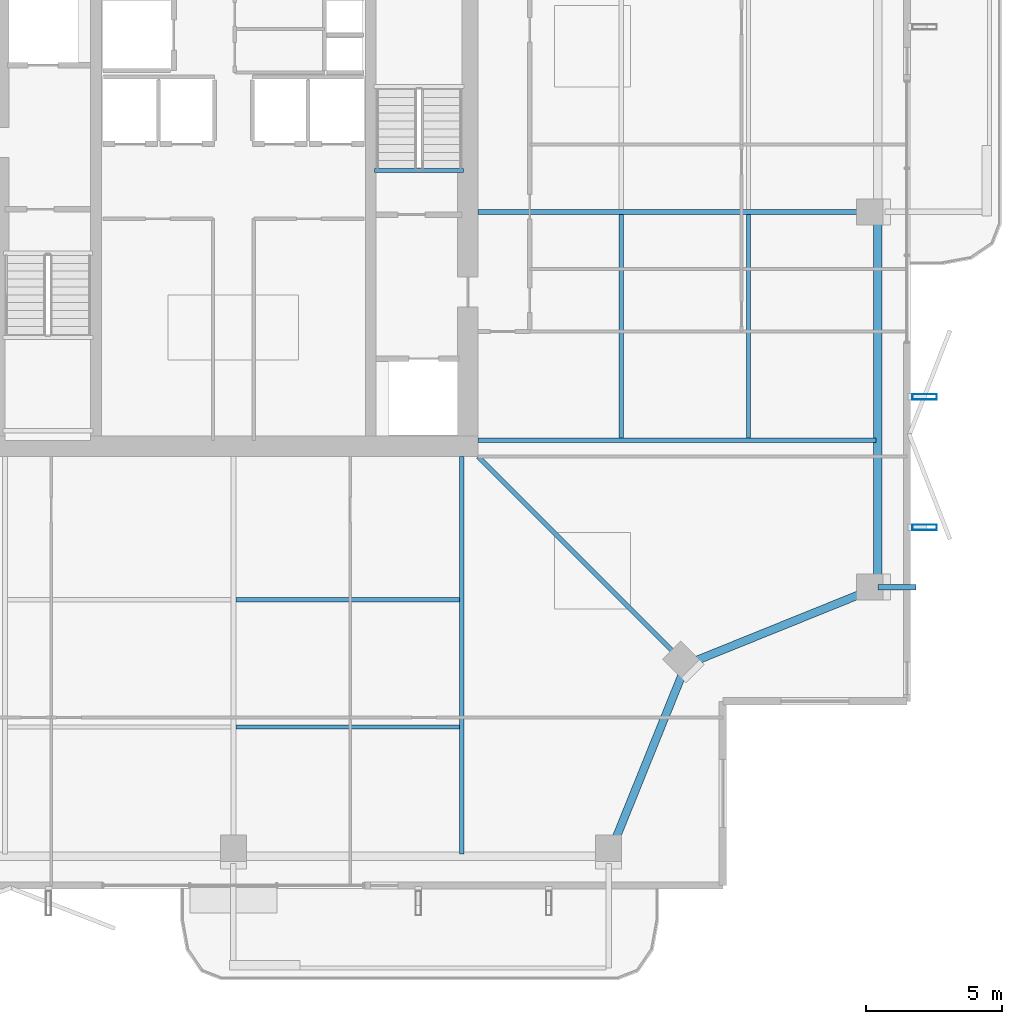
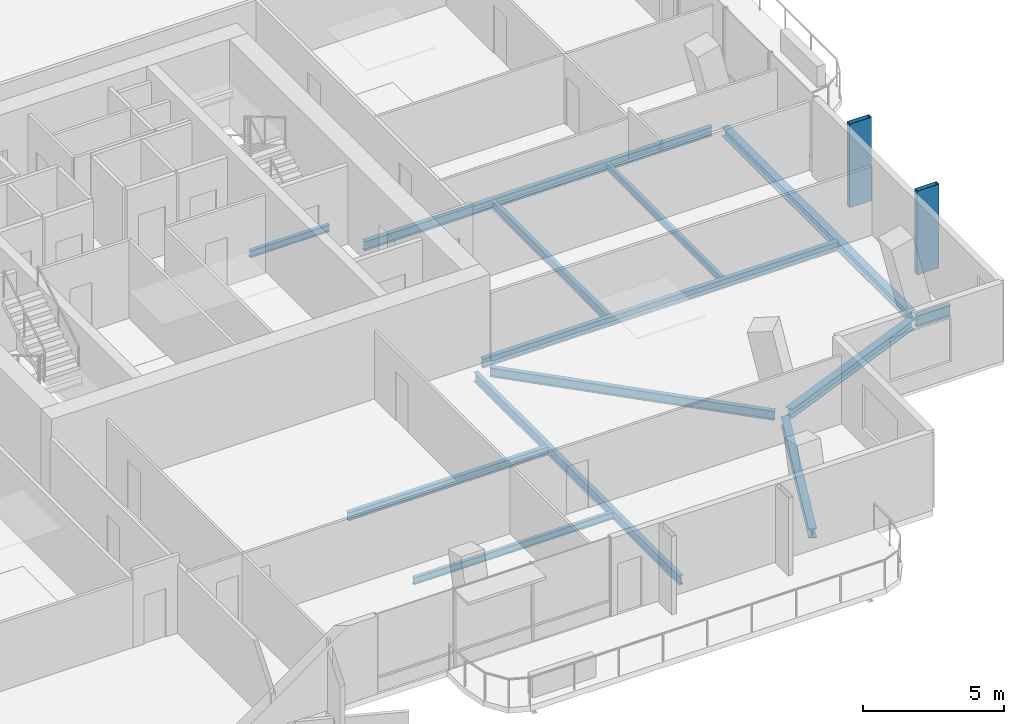
# One storey, part 9 of 25: 13 beams, 2 members.
"""IFC4 building model written with IfcOpenShell, lengths in metres."""

from ifc_helpers import new_model, si_unit, direction, frame, origin, origin_2d, place, context, subcontext, project, spatial, hollow_rectangle, i_section, extrude, material, material_profile, profile_set, type_object, element, save


model = new_model("IFC4")

# Units and contexts
model_context = context("Model", 3, precision=1e-05, world=origin(), true_north=direction((0.0, 1.0)))
body_context = subcontext(model_context, "Body", "Model", "MODEL_VIEW")
ifc_project = project(units=[si_unit("LENGTHUNIT", "METRE"), si_unit("AREAUNIT", "SQUARE_METRE"), si_unit("VOLUMEUNIT", "CUBIC_METRE"), si_unit("PLANEANGLEUNIT", "RADIAN"), si_unit("MASSUNIT", "GRAM", prefix="KILO")], contexts=[model_context])

# Site, building, storey
site_placement = place(None, origin())
site = spatial("IfcSite", under=ifc_project, at=site_placement, CompositionType="ELEMENT")
building_placement = place(site_placement, origin())
building = spatial("IfcBuilding", under=site, at=building_placement, Name="Belovzor Exchange Tower", CompositionType="ELEMENT")
storey_placement = place(building_placement, frame((0.0, 0.0, 280.35009765625)))
storey = spatial("IfcBuildingStorey", under=building, at=storey_placement, Name="L70", CompositionType="ELEMENT", Elevation=280.35009765625)

# Beams
ifc_material_1 = material(Name="Steel S355", Category="steel")
ifc_material_profile_1 = material_profile(ifc_material_1, i_section(OverallWidth=0.199951171875, OverallDepth=0.5, WebThickness=0.01025390625, FlangeThickness=0.01611328125, at=origin_2d()))
ifc_profile_set_1 = profile_set([ifc_material_profile_1], Name="Steel S355")
beam_type_1 = type_object("IfcBeamType", Name="Planted Balcony Cantilever Beam IPE 500", PredefinedType="BEAM", material=ifc_profile_set_1)
beam_1_placement = place(storey_placement, frame((52.5, 15.0, -0.5), z_axis=(1.0, 0.0, 0.0), x_axis=(0.0, 1.0, 0.0)))
element("IfcBeam", 1, at=beam_1_placement, inside=storey, type_object=beam_type_1, Name="BC-500 Planted Balcony Cantilever Beam IPE 500", PredefinedType="BEAM", context=body_context, shape_type="SweptSolid", body=[
    extrude(i_section(OverallWidth=0.199951171875, OverallDepth=0.5, WebThickness=0.01025390625, FlangeThickness=0.01611328125, at=origin_2d()), origin(), (0.0, 0.0, 1.0), 1.39990234375),
])
ifc_material_2 = material(Name="Steel S355", Category="steel")
ifc_material_profile_2 = material_profile(ifc_material_2, i_section(OverallWidth=0.169921875, OverallDepth=0.360107421875, WebThickness=0.008056640625, FlangeThickness=0.0126953125, at=origin_2d()))
ifc_profile_set_2 = profile_set([ifc_material_profile_2], Name="Steel S355")
beam_type_2 = type_object("IfcBeamType", Name="Secondary Infill Floor Joist IPE 360", PredefinedType="BEAM", material=ifc_profile_set_2)
beam_2_placement = place(storey_placement, frame((28.889892578125, 14.534912109375, -0.43017578125), z_axis=(1.0, 0.0, 0.0), x_axis=(0.0, 1.0, 0.0)))
element("IfcBeam", 2, at=beam_2_placement, inside=storey, type_object=beam_type_2, Name="FJ-360 Secondary Infill Floor Joist IPE 360", PredefinedType="BEAM", context=body_context, shape_type="SweptSolid", body=[
    extrude(i_section(OverallWidth=0.169921875, OverallDepth=0.360107421875, WebThickness=0.008056640625, FlangeThickness=0.0126953125, at=origin_2d()), origin(), (0.0, 0.0, 1.0), 8.22021484375),
])
beam_3_placement = place(storey_placement, frame((43.06494140625, 20.489990234375, -0.43017578125), z_axis=(0.0, 1.0, 0.0), x_axis=(-1.0, 0.0, 0.0)))
element("IfcBeam", 3, at=beam_3_placement, inside=storey, type_object=beam_type_2, Name="FJ-360 Secondary Infill Floor Joist IPE 360", PredefinedType="BEAM", context=body_context, shape_type="SweptSolid", body=[
    extrude(i_section(OverallWidth=0.169921875, OverallDepth=0.360107421875, WebThickness=0.008056640625, FlangeThickness=0.0126953125, at=origin_2d()), origin(), (0.0, 0.0, 1.0), 8.219970703125),
])
ifc_material_3 = material(Name="Steel S355", Category="steel")
ifc_material_profile_3 = material_profile(ifc_material_3, i_section(OverallWidth=0.14990234375, OverallDepth=0.300048828125, WebThickness=0.007080078125, FlangeThickness=0.0107421875, at=origin_2d()))
ifc_profile_set_3 = profile_set([ifc_material_profile_3], Name="Steel S355")
beam_type_3 = type_object("IfcBeamType", Name="Secondary Trim Floor Joist IPE 300", PredefinedType="BEAM", material=ifc_profile_set_3)
beam_4_placement = place(storey_placement, frame((37.260009765625, 30.320068359375, -0.400146484375), z_axis=(-1.0, 0.0, 0.0), x_axis=(0.0, -1.0, 0.0)))
element("IfcBeam", 4, at=beam_4_placement, inside=storey, type_object=beam_type_3, Name="FJ-300 Secondary Trim Floor Joist IPE 300", PredefinedType="BEAM", context=body_context, shape_type="SweptSolid", body=[
    extrude(i_section(OverallWidth=0.14990234375, OverallDepth=0.300048828125, WebThickness=0.007080078125, FlangeThickness=0.0107421875, at=origin_2d()), origin(), (0.0, 0.0, 1.0), 3.27001953125),
])
beam_5_placement = place(storey_placement, frame((28.889892578125, 9.85498046875, -0.400146484375), z_axis=(1.0, 0.0, 0.0), x_axis=(0.0, 1.0, 0.0)))
element("IfcBeam", 5, at=beam_5_placement, inside=storey, type_object=beam_type_3, Name="FJ-300 Secondary Trim Floor Joist IPE 300", PredefinedType="BEAM", context=body_context, shape_type="SweptSolid", body=[
    extrude(i_section(OverallWidth=0.14990234375, OverallDepth=0.300048828125, WebThickness=0.007080078125, FlangeThickness=0.0107421875, at=origin_2d()), origin(), (0.0, 0.0, 1.0), 8.22021484375),
])
beam_6_placement = place(storey_placement, frame((47.7451171875, 20.489990234375, -0.400146484375), z_axis=(0.0, 1.0, 0.0), x_axis=(-1.0, 0.0, 0.0)))
element("IfcBeam", 6, at=beam_6_placement, inside=storey, type_object=beam_type_3, Name="FJ-300 Secondary Trim Floor Joist IPE 300", PredefinedType="BEAM", context=body_context, shape_type="SweptSolid", body=[
    extrude(i_section(OverallWidth=0.14990234375, OverallDepth=0.300048828125, WebThickness=0.007080078125, FlangeThickness=0.0107421875, at=origin_2d()), origin(), (0.0, 0.0, 1.0), 8.219970703125),
])

# Members
ifc_material_4 = material(Name="Extruded Architectural Terracotta on Steel S355 Carrier", Category="masonry")
ifc_material_profile_4 = material_profile(ifc_material_4, hollow_rectangle(XDim=0.199951171875, YDim=0.89990234375, WallThickness=0.011962890625, at=origin_2d()))
ifc_profile_set_4 = profile_set([ifc_material_profile_4], Name="Extruded Architectural Terracotta on Steel S355 Carrier")
member_type = type_object("IfcMemberType", Name="Sweeping Terracotta Baguette Fin Assembly 950", PredefinedType="USERDEFINED", material=ifc_profile_set_4)
for number, where, z_axis, x_axis, name in (
    (7, (54.22509765625, 17.199951171875, -0.25), (0.0, 0.0, 1.0), (0.0, 1.0, 0.0), "FIN-TC095 Terracotta Facade Fin L70 E1"),
    (8, (54.22509765625, 22.0, -0.25), (0.0, 0.0, 1.0), (0.0, 1.0, 0.0), "FIN-TC095 Terracotta Facade Fin L70 E2"),
):
    element("IfcMember", number, at=place(storey_placement, frame(where, z_axis=z_axis, x_axis=x_axis)), inside=storey, type_object=member_type, Name=name, ObjectType="FIN", PredefinedType="USERDEFINED", context=body_context, shape_type="SweptSolid", body=[
        extrude(hollow_rectangle(XDim=0.199951171875, YDim=0.89990234375, WallThickness=0.011962890625, at=origin_2d()), origin(), (0.0, 0.0, 1.0), 3.639892578125),
    ])

# Beams
ifc_material_5 = material(Name="Steel S355", Category="steel")
ifc_material_profile_5 = material_profile(ifc_material_5, i_section(OverallWidth=0.300048828125, OverallDepth=0.39990234375, WebThickness=0.013427734375, FlangeThickness=0.02392578125, at=origin_2d()))
ifc_profile_set_5 = profile_set([ifc_material_profile_5], Name="Steel S355")
beam_type_4 = type_object("IfcBeamType", Name="Zone 5 Primary Girder HEB 400", PredefinedType="BEAM", material=ifc_profile_set_5)
beam_7_placement = place(storey_placement, frame((42.697998046875, 5.342041015625, -0.4501953125), z_axis=(0.374758283536, 0.927122553345, 0.0), x_axis=(-0.927122553345, 0.374758283536, 0.0)))
element("IfcBeam", 9, at=beam_7_placement, inside=storey, type_object=beam_type_4, Name="FG-Z5 Zone 5 Primary Girder HEB 400", PredefinedType="BEAM", context=body_context, shape_type="SweptSolid", body=[
    extrude(i_section(OverallWidth=0.300048828125, OverallDepth=0.39990234375, WebThickness=0.013427734375, FlangeThickness=0.02392578125, at=origin_2d()), origin(), (0.0, 0.0, 1.0), 7.08203125),
])
beam_8_placement = place(storey_placement, frame((45.69189453125, 12.248046875, -0.4501953125), z_axis=(0.927127394661, 0.374746306278, 0.0), x_axis=(-0.374746306278, 0.927127394661, 0.0)))
element("IfcBeam", 10, at=beam_8_placement, inside=storey, type_object=beam_type_4, Name="FG-Z5 Zone 5 Primary Girder HEB 400", PredefinedType="BEAM", context=body_context, shape_type="SweptSolid", body=[
    extrude(i_section(OverallWidth=0.300048828125, OverallDepth=0.39990234375, WebThickness=0.013427734375, FlangeThickness=0.02392578125, at=origin_2d()), origin(), (0.0, 0.0, 1.0), 7.082275390625),
])
beam_9_placement = place(storey_placement, frame((52.5, 15.260986328125, -0.4501953125), z_axis=(0.0, 1.0, 0.0), x_axis=(-1.0, 0.0, 0.0)))
element("IfcBeam", 11, at=beam_9_placement, inside=storey, type_object=beam_type_4, Name="FG-Z5 Zone 5 Primary Girder HEB 400", PredefinedType="BEAM", context=body_context, shape_type="SweptSolid", body=[
    extrude(i_section(OverallWidth=0.300048828125, OverallDepth=0.39990234375, WebThickness=0.013427734375, FlangeThickness=0.02392578125, at=origin_2d()), origin(), (0.0, 0.0, 1.0), 13.278076171875),
])
ifc_material_6 = material(Name="Steel S355", Category="steel")
ifc_material_profile_6 = material_profile(ifc_material_6, i_section(OverallWidth=0.179931640625, OverallDepth=0.39990234375, WebThickness=0.008544921875, FlangeThickness=0.013427734375, at=origin_2d()))
ifc_profile_set_6 = profile_set([ifc_material_profile_6], Name="Steel S355")
beam_type_5 = type_object("IfcBeamType", Name="Zone 5-6 Radial Composite Floor Beam IPE 400", PredefinedType="BEAM", material=ifc_profile_set_6)
for number, where, z_axis, x_axis, name in (
    (12, (37.199951171875, 19.800048828125, -0.4501953125), (0.0, -1.0, 0.0), (1.0, 0.0, 0.0), "FB-400 Zone 5-6 Radial Composite Floor Beam IPE 400"),
    (13, (37.800048828125, 20.39990234375, -0.4501953125), (1.0, 0.0, 0.0), (0.0, 1.0, 0.0), "FB-400 Zone 5-6 Radial Composite Floor Beam IPE 400"),
):
    element("IfcBeam", number, at=place(storey_placement, frame(where, z_axis=z_axis, x_axis=x_axis)), inside=storey, type_object=beam_type_5, Name=name, PredefinedType="BEAM", context=body_context, shape_type="SweptSolid", body=[
        extrude(i_section(OverallWidth=0.179931640625, OverallDepth=0.39990234375, WebThickness=0.008544921875, FlangeThickness=0.013427734375, at=origin_2d()), origin(), (0.0, 0.0, 1.0), 14.625),
    ])
beam_10_placement = place(storey_placement, frame((37.800048828125, 28.800048828125, -0.4501953125), z_axis=(1.0, 0.0, 0.0), x_axis=(0.0, 1.0, 0.0)))
element("IfcBeam", 14, at=beam_10_placement, inside=storey, type_object=beam_type_5, Name="FB-400 Zone 5-6 Radial Composite Floor Beam IPE 400", PredefinedType="BEAM", context=body_context, shape_type="SweptSolid", body=[
    extrude(i_section(OverallWidth=0.179931640625, OverallDepth=0.39990234375, WebThickness=0.008544921875, FlangeThickness=0.013427734375, at=origin_2d()), origin(), (0.0, 0.0, 1.0), 14.281982421875),
])
beam_11_placement = place(storey_placement, frame((37.800048828125, 19.800048828125, -0.4501953125), z_axis=(0.707141714703, -0.707071845944, 0.0), x_axis=(0.707071845944, 0.707141714703, 0.0)))
element("IfcBeam", 15, at=beam_11_placement, inside=storey, type_object=beam_type_5, Name="FB-400 Zone 5-6 Radial Composite Floor Beam IPE 400", PredefinedType="BEAM", context=body_context, shape_type="SweptSolid", body=[
    extrude(i_section(OverallWidth=0.179931640625, OverallDepth=0.39990234375, WebThickness=0.008544921875, FlangeThickness=0.013427734375, at=origin_2d()), origin(), (0.0, 0.0, 1.0), 10.48291015625),
])

save(model, "model.ifc")
